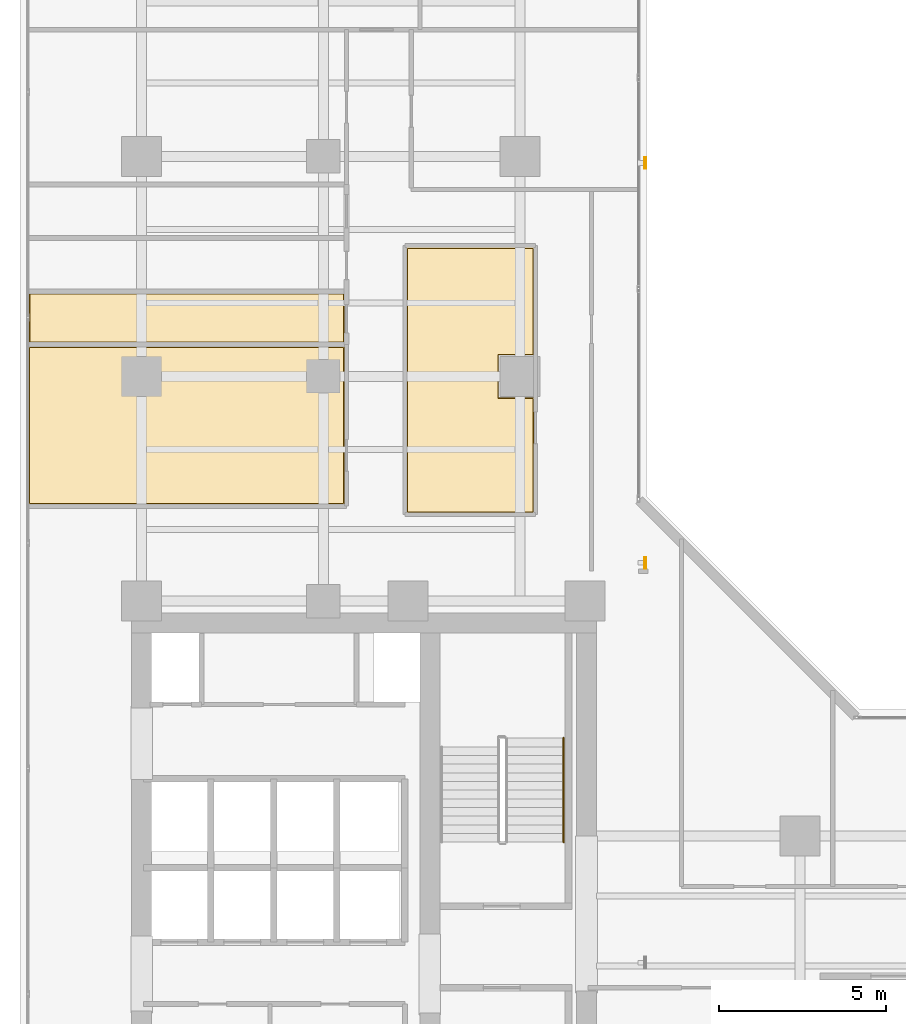
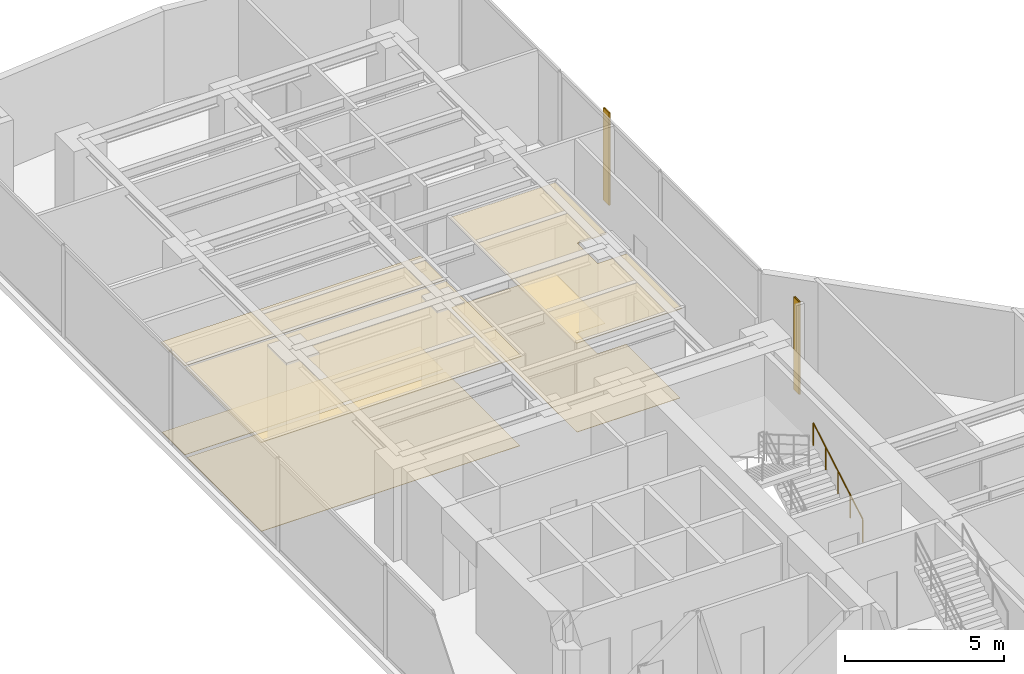
# One storey, part 24 of 24: 6 coverings, 2 shading devices, 1 railing.
"""IFC4 building model written with IfcOpenShell, lengths in metres."""

import ifcopenshell
import ifcopenshell.guid

model = None  # the IFC model being written
_history = None  # IfcOwnerHistory: only IFC2X3 demands one
_inside = {}  # id of a spatial element -> (the spatial element, [elements in it])
_under = {}  # id of a project, library or spatial element -> (it, [spatial elements below it])
_declared = {}  # id of a project -> (the project, [libraries it declares])
_typed = {}  # id of a type object -> (the type object, [elements of that type])
_made_of = {}  # id of a material, layer set ... -> (it, [elements and type objects made of it])


def new_model(schema):
    """Start an empty IFC model of exactly this schema.

    Asked for "IFC4X3", IfcOpenShell would pick the latest addendum, in which some entities
    have other attributes; the version numbers below select the first issue.
    IFC2X3 requires an IfcOwnerHistory on every rooted entity: one is made here for all.
    """
    global model, _history
    if schema == "IFC4X3":
        model = ifcopenshell.file(schema_version=(4, 3, 0, 0))
    else:
        model = ifcopenshell.file(schema=schema)
    _inside.clear()
    _under.clear()
    _declared.clear()
    _typed.clear()
    _made_of.clear()
    _history = None
    if model.schema == "IFC2X3":
        org = make("IfcOrganization", Name="unknown")
        user = make(
            "IfcPersonAndOrganization",
            ThePerson=make("IfcPerson", FamilyName="unknown"),
            TheOrganization=org,
        )
        app = make(
            "IfcApplication",
            ApplicationDeveloper=org,
            Version="unknown",
            ApplicationFullName="unknown",
            ApplicationIdentifier="unknown",
        )
        _history = make(
            "IfcOwnerHistory",
            OwningUser=user,
            OwningApplication=app,
            ChangeAction="ADDED",
            CreationDate=0,
        )
    return model


def make(cls, **values):
    """One entity of the class cls with the attributes given. An attribute that is None is left unset."""
    return model.create_entity(
        cls, **{name: value for name, value in values.items() if value is not None}
    )


def rooted(cls, **values):
    """An entity with a GlobalId (a new one), such as an element, a storey or a relation."""
    return make(cls, GlobalId=ifcopenshell.guid.new(), OwnerHistory=_history, **values)


def si_unit(unit_type, name, prefix=None):
    """IfcSIUnit, for example si_unit("LENGTHUNIT", "METRE", prefix="MILLI")."""
    return make("IfcSIUnit", UnitType=unit_type, Prefix=prefix, Name=name)


def assignment(units):
    """IfcUnitAssignment: the units of a project."""
    return None if units is None else make("IfcUnitAssignment", Units=units)


def point(xyz):
    """IfcCartesianPoint."""
    return None if xyz is None else make("IfcCartesianPoint", Coordinates=xyz)


def direction(xyz):
    """IfcDirection."""
    return None if xyz is None else make("IfcDirection", DirectionRatios=xyz)


def frame(location, z_axis=None, x_axis=None):
    """IfcAxis2Placement3D, a coordinate frame: its origin and axes. An axis left out is left unset."""
    return make(
        "IfcAxis2Placement3D",
        Location=point(location),
        Axis=direction(z_axis),
        RefDirection=direction(x_axis),
    )


def frame_2d(location, x_axis=None):
    """IfcAxis2Placement2D, a coordinate frame in the plane: its origin and x axis."""
    return make(
        "IfcAxis2Placement2D", Location=point(location), RefDirection=direction(x_axis)
    )


def origin():
    """The frame at (0, 0, 0) with its axes left unset."""
    return frame((0.0, 0.0, 0.0))


def origin_2d():
    """The frame at (0, 0) in the plane with its x axis left unset."""
    return frame_2d((0.0, 0.0))


def place(relative_to, where):
    """IfcLocalPlacement: puts the frame where relative to a parent placement (None: the world)."""
    return make(
        "IfcLocalPlacement", PlacementRelTo=relative_to, RelativePlacement=where
    )


def context(
    kind, dimensions, precision=None, world=None, true_north=None, identifier=None
):
    """IfcGeometricRepresentationContext, for example the 3D "Model" context."""
    return make(
        "IfcGeometricRepresentationContext",
        ContextIdentifier=identifier,
        ContextType=kind,
        CoordinateSpaceDimension=dimensions,
        Precision=precision,
        WorldCoordinateSystem=world,
        TrueNorth=true_north,
    )


def subcontext(parent, identifier, kind, view, scale=None):
    """IfcGeometricRepresentationSubContext, for example "Body" below "Model"."""
    return make(
        "IfcGeometricRepresentationSubContext",
        ContextIdentifier=identifier,
        ContextType=kind,
        ParentContext=parent,
        TargetScale=scale,
        TargetView=view,
    )


def project(units=None, contexts=None):
    """IfcProject with its units and contexts."""
    return rooted(
        "IfcProject",
        Name="project",
        RepresentationContexts=contexts,
        UnitsInContext=assignment(units),
    )


def spatial(cls, under=None, at=None, **own):
    """A site, building, storey or space (cls), placed at a placement, below another one or the project."""
    s = rooted(cls, ObjectPlacement=at, **own)
    if under is not None:
        _under.setdefault(under.id(), (under, []))[1].append(s)
    return s


def polyline(points):
    """IfcPolyline through the points."""
    return make("IfcPolyline", Points=[point(p) for p in points])


def profile(cls, at=None, kind="AREA", **sizes):
    """A parametric profile (cls). Its sizes go by their IFC names, for example OverallWidth=200.0."""
    return make(cls, ProfileType=kind, Position=at, **sizes)


def hollow_rectangle(**sizes):
    """IfcRectangleHollowProfileDef."""
    return profile("IfcRectangleHollowProfileDef", **sizes)


def circle(**sizes):
    """IfcCircleProfileDef."""
    return profile("IfcCircleProfileDef", **sizes)


def outline(outer, holes=None, kind="AREA"):
    """IfcArbitraryClosedProfileDef: a profile drawn as a closed curve; with holes, ...WithVoids."""
    if holes is None:
        return make("IfcArbitraryClosedProfileDef", ProfileType=kind, OuterCurve=outer)
    return make(
        "IfcArbitraryProfileDefWithVoids",
        ProfileType=kind,
        OuterCurve=outer,
        InnerCurves=holes,
    )


def extrude(swept, where, along, depth):
    """IfcExtrudedAreaSolid: the profile swept, set in the frame where, extruded along a direction by depth."""
    return make(
        "IfcExtrudedAreaSolid",
        SweptArea=swept,
        Position=where,
        ExtrudedDirection=direction(along),
        Depth=depth,
    )


def shape(context_of_items, identifier, shape_type, items):
    """IfcShapeRepresentation: the items that make up one representation, for example the "Body"."""
    return make(
        "IfcShapeRepresentation",
        ContextOfItems=context_of_items,
        RepresentationIdentifier=identifier,
        RepresentationType=shape_type,
        Items=items,
    )


def material(Name=None, Category=None):
    """IfcMaterial."""
    return make("IfcMaterial", Name=Name, Category=Category)


def layer(
    of_material, thickness, ventilated=None, Name=None, Category=None, Priority=None
):
    """IfcMaterialLayer: one layer of a wall or slab, of a material (None: an air gap)."""
    return make(
        "IfcMaterialLayer",
        Material=of_material,
        LayerThickness=thickness,
        IsVentilated=ventilated,
        Name=Name,
        Category=Category,
        Priority=Priority,
    )


def layer_set(layers, Name=None):
    """IfcMaterialLayerSet."""
    return make("IfcMaterialLayerSet", MaterialLayers=layers, LayerSetName=Name)


def material_profile(
    of_material, cross_section, Name=None, Category=None, Priority=None
):
    """IfcMaterialProfile: a cross section and its material."""
    return make(
        "IfcMaterialProfile",
        Name=Name,
        Material=of_material,
        Profile=cross_section,
        Priority=Priority,
        Category=Category,
    )


def profile_set(profiles, Name=None, composite=None):
    """IfcMaterialProfileSet."""
    return make(
        "IfcMaterialProfileSet",
        Name=Name,
        MaterialProfiles=profiles,
        CompositeProfile=composite,
    )


def made_of(thing, what):
    """Note that an element or type object is made of a material, layer set ...; save() writes the relation."""
    if what is not None:
        _made_of.setdefault(what.id(), (what, []))[1].append(thing)
    return thing


def type_object(cls, material=None, **own):
    """A type object (cls), such as IfcWallType, which elements share."""
    return made_of(rooted(cls, **own), material)


def element(
    cls,
    number,
    at=None,
    inside=None,
    cuts=None,
    type_object=None,
    material=None,
    context=None,
    identifier="Body",
    shape_type=None,
    held_by="IfcProductDefinitionShape",
    body=None,
    shapes=None,
    **own,
):
    """One element of the class cls, such as IfcWall. Its Tag is "e" and its number.

    at: its placement. inside: the storey or other place that contains it. cuts: it is an
    opening in that element (IfcRelVoidsElement). A single representation is given by context,
    identifier, shape_type and body (its items); several are given by shapes. held_by: the class
    of the entity that holds the representations. save() writes the other relations.
    """
    e = rooted(cls, Tag="e%d" % number, ObjectPlacement=at, **own)
    if body is not None:
        shapes = [shape(context, identifier, shape_type, body)]
    if shapes is not None:
        e.Representation = make(held_by, Representations=shapes)
    if inside is not None:
        _inside.setdefault(inside.id(), (inside, []))[1].append(e)
    if cuts is not None:
        rooted(
            "IfcRelVoidsElement", RelatingBuildingElement=cuts, RelatedOpeningElement=e
        )
    if type_object is not None:
        _typed.setdefault(type_object.id(), (type_object, []))[1].append(e)
    return made_of(e, material)


def aggregate(whole, parts):
    """IfcRelAggregates: a whole, such as a stair, and the parts it consists of."""
    return rooted("IfcRelAggregates", RelatingObject=whole, RelatedObjects=parts)


def save(model, path):
    """Write the relations noted so far, then the file.

    IfcRelAggregates (storeys below a building ...), IfcRelContainedInSpatialStructure (elements
    in a storey), IfcRelDefinesByType, IfcRelAssociatesMaterial and IfcRelDeclares: one each for
    every whole, place, type object, material and project.
    """
    for whole, parts in _under.values():
        aggregate(whole, parts)
    for where, things in _inside.values():
        rooted(
            "IfcRelContainedInSpatialStructure",
            RelatedElements=things,
            RelatingStructure=where,
        )
    for kind, things in _typed.values():
        rooted("IfcRelDefinesByType", RelatedObjects=things, RelatingType=kind)
    for what, things in _made_of.values():
        rooted("IfcRelAssociatesMaterial", RelatedObjects=things, RelatingMaterial=what)
    for by, libraries in _declared.values():
        rooted("IfcRelDeclares", RelatingContext=by, RelatedDefinitions=libraries)
    model.write(path)


model = new_model("IFC4")

# Units and contexts
model_context = context("Model", 3, precision=1e-05, world=origin(), true_north=direction((0.0, 1.0)))
body_context = subcontext(model_context, "Body", "Model", "MODEL_VIEW")
ifc_project = project(units=[si_unit("LENGTHUNIT", "METRE"), si_unit("AREAUNIT", "SQUARE_METRE"), si_unit("VOLUMEUNIT", "CUBIC_METRE"), si_unit("PLANEANGLEUNIT", "RADIAN"), si_unit("MASSUNIT", "GRAM", prefix="KILO")], contexts=[model_context])

# Site, building, storey
site_placement = place(None, origin())
site = spatial("IfcSite", under=ifc_project, at=site_placement, CompositionType="ELEMENT")
building_placement = place(site_placement, origin())
building = spatial("IfcBuilding", under=site, at=building_placement, Name="Kolvaren Waterfront Exchange", CompositionType="ELEMENT")
storey_placement = place(building_placement, frame((0.0, 0.0, 157.60009765625)))
storey = spatial("IfcBuildingStorey", under=building, at=storey_placement, Name="L40", CompositionType="ELEMENT", Elevation=157.60009765625)

# Coverings
ifc_material_1 = material(Name="Mineral fibre acoustic ceiling tile")
ifc_layer_1 = layer(ifc_material_1, 0.02490234375, Name="Mineral fibre acoustic ceiling tile")
ifc_layer_set_1 = layer_set([ifc_layer_1], Name="Mineral fibre acoustic ceiling tile")
covering_type_1 = type_object("IfcCoveringType", Name="ARC-CEIL-ACOUSTIC-25", PredefinedType="CEILING", material=ifc_layer_set_1)
covering_1_placement = place(storey_placement, frame((0.0, 0.0, 3.44482421875)))
element("IfcCovering", 1, at=covering_1_placement, inside=storey, type_object=covering_type_1, Name="L40 acoustic suspended ceiling 1", PredefinedType="CEILING", context=body_context, shape_type="SweptSolid", body=[
    extrude(outline(polyline([(19.22509765625, 30.56005859375), (18.159912109375, 30.56005859375), (18.159912109375, 31.840087890625), (19.22509765625, 31.840087890625), (19.22509765625, 35.074951171875), (15.39501953125, 35.074951171875), (15.39501953125, 27.094970703125), (19.22509765625, 27.094970703125), (19.22509765625, 30.56005859375)])), origin(), (0.0, 0.0, 1.0), 0.025146484375),
])
covering_2_placement = place(storey_placement, frame((0.0, 0.0, 3.44482421875)))
element("IfcCovering", 2, at=covering_2_placement, inside=storey, type_object=covering_type_1, Name="L40 acoustic suspended ceiling 2", PredefinedType="CEILING", context=body_context, shape_type="SweptSolid", body=[
    extrude(outline(polyline([(13.534912109375, 27.344970703125), (13.534912109375, 32.10498046875), (4.044921875, 32.10498046875), (4.044921875, 27.344970703125), (13.534912109375, 27.344970703125)])), origin(), (0.0, 0.0, 1.0), 0.025146484375),
])
covering_3_placement = place(storey_placement, frame((0.0, 0.0, 3.44482421875)))
element("IfcCovering", 3, at=covering_3_placement, inside=storey, type_object=covering_type_1, Name="L40 acoustic suspended ceiling 3", PredefinedType="CEILING", context=body_context, shape_type="SweptSolid", body=[
    extrude(outline(polyline([(13.534912109375, 32.195068359375), (13.534912109375, 33.705078125), (4.06494140625, 33.705078125), (4.06494140625, 32.195068359375), (13.534912109375, 32.195068359375)])), origin(), (0.0, 0.0, 1.0), 0.025146484375),
])

# Shading devices
ifc_material_2 = material(Name="Anodised bronze aluminium 6063-T6", Category="aluminium")
ifc_material_profile = material_profile(ifc_material_2, hollow_rectangle(XDim=0.06005859375, YDim=0.35009765625, WallThickness=0.0048828125, at=origin_2d()), Name="BRZ-FIN-350x60x5")
ifc_profile_set = profile_set([ifc_material_profile], Name="Anodised bronze aluminium 6063-T6")
shading_device_type = type_object("IfcShadingDeviceType", Name="ARC-FIN-350", PredefinedType="USERDEFINED", material=ifc_profile_set)
for number, where, z_axis, x_axis, name in (
    (4, (22.56005859375, 25.60009765625, 0.0), (0.0, 0.0, 1.0), (1.0, 0.0, 0.0), "L40 anodised bronze solar shading fin FIN-L40-E2"),
    (5, (22.56005859375, 37.60009765625, 0.0), (0.0, 0.0, 1.0), (1.0, 0.0, 0.0), "L40 anodised bronze solar shading fin FIN-L40-E3"),
):
    element("IfcShadingDevice", number, at=place(storey_placement, frame(where, z_axis=z_axis, x_axis=x_axis)), inside=storey, type_object=shading_device_type, Name=name, ObjectType="SOLAR FIN", PredefinedType="USERDEFINED", context=body_context, shape_type="SweptSolid", body=[
        extrude(hollow_rectangle(XDim=0.06005859375, YDim=0.35009765625, WallThickness=0.0048828125, at=origin_2d()), origin(), (0.0, 0.0, 1.0), 3.559814453125),
    ])

# Coverings
ifc_material_3 = material(Name="Slip-resistant porcelain tile")
ifc_layer_2 = layer(ifc_material_3, 0.014892578125, Name="Slip-resistant porcelain tile")
ifc_layer_set_2 = layer_set([ifc_layer_2], Name="Slip-resistant porcelain tile")
covering_type_2 = type_object("IfcCoveringType", Name="ARC-FLR-PORC-15", PredefinedType="FLOORING", material=ifc_layer_set_2)
covering_4_placement = place(storey_placement, origin())
element("IfcCovering", 6, at=covering_4_placement, inside=storey, type_object=covering_type_2, Name="L40 floor finish 1", PredefinedType="FLOORING", context=body_context, shape_type="SweptSolid", body=[
    extrude(outline(polyline([(15.429931640625, 35.0400390625), (15.429931640625, 27.1298828125), (19.18994140625, 27.1298828125), (19.18994140625, 30.5400390625), (18.139892578125, 30.5400390625), (18.139892578125, 31.860107421875), (19.18994140625, 31.860107421875), (19.18994140625, 35.0400390625), (15.429931640625, 35.0400390625)])), origin(), (0.0, 0.0, 1.0), 0.014892578125),
])
covering_5_placement = place(storey_placement, origin())
element("IfcCovering", 7, at=covering_5_placement, inside=storey, type_object=covering_type_2, Name="L40 floor finish 2", PredefinedType="FLOORING", context=body_context, shape_type="SweptSolid", body=[
    extrude(outline(polyline([(4.080078125, 32.070068359375), (4.080078125, 27.3798828125), (13.5, 27.3798828125), (13.5, 32.070068359375), (4.080078125, 32.070068359375)])), origin(), (0.0, 0.0, 1.0), 0.014892578125),
])
covering_6_placement = place(storey_placement, origin())
element("IfcCovering", 8, at=covering_6_placement, inside=storey, type_object=covering_type_2, Name="L40 floor finish 3", PredefinedType="FLOORING", context=body_context, shape_type="SweptSolid", body=[
    extrude(outline(polyline([(4.10009765625, 33.669921875), (4.10009765625, 32.22998046875), (13.5, 32.22998046875), (13.5, 33.669921875), (4.10009765625, 33.669921875)])), origin(), (0.0, 0.0, 1.0), 0.014892578125),
])

# Railing
ifc_material_4 = material(Name="Stainless steel 316", Category="steel")
railing_type = type_object("IfcRailingType", Name="ARC-HANDRAIL-900", PredefinedType="HANDRAIL", material=ifc_material_4)
railing_placement = place(storey_placement, frame((20.110107421875, 17.219970703125, 0.15185546875)))
element("IfcRailing", 9, at=railing_placement, inside=storey, type_object=railing_type, Name="L40 ST2 stair handrail 1", PredefinedType="HANDRAIL", context=body_context, shape_type="SweptSolid", body=[
    extrude(circle(Radius=0.02392578125, at=origin_2d()), frame((0.0, 0.0, 0.8759765625), z_axis=(0.0, 0.86330811405, 0.504677223793), x_axis=(-1.0, 0.0, 0.0)), (0.0, 0.0, 1.0), 3.6142578125),
    extrude(circle(Radius=0.02099609375, at=origin_2d()), origin(), (0.0, 0.0, 1.0), 0.851806640625),
    extrude(circle(Radius=0.02099609375, at=origin_2d()), frame((0.0, 0.780029296875, 0.4560546875)), (0.0, 0.0, 1.0), 0.851806640625),
    extrude(circle(Radius=0.02099609375, at=origin_2d()), frame((0.0, 1.56005859375, 0.912109375)), (0.0, 0.0, 1.0), 0.851806640625),
    extrude(circle(Radius=0.02099609375, at=origin_2d()), frame((0.0, 2.340087890625, 1.367919921875)), (0.0, 0.0, 1.0), 0.851806640625),
    extrude(circle(Radius=0.02099609375, at=origin_2d()), frame((0.0, 3.1201171875, 1.823974609375)), (0.0, 0.0, 1.0), 0.851806640625),
])

save(model, "model.ifc")
